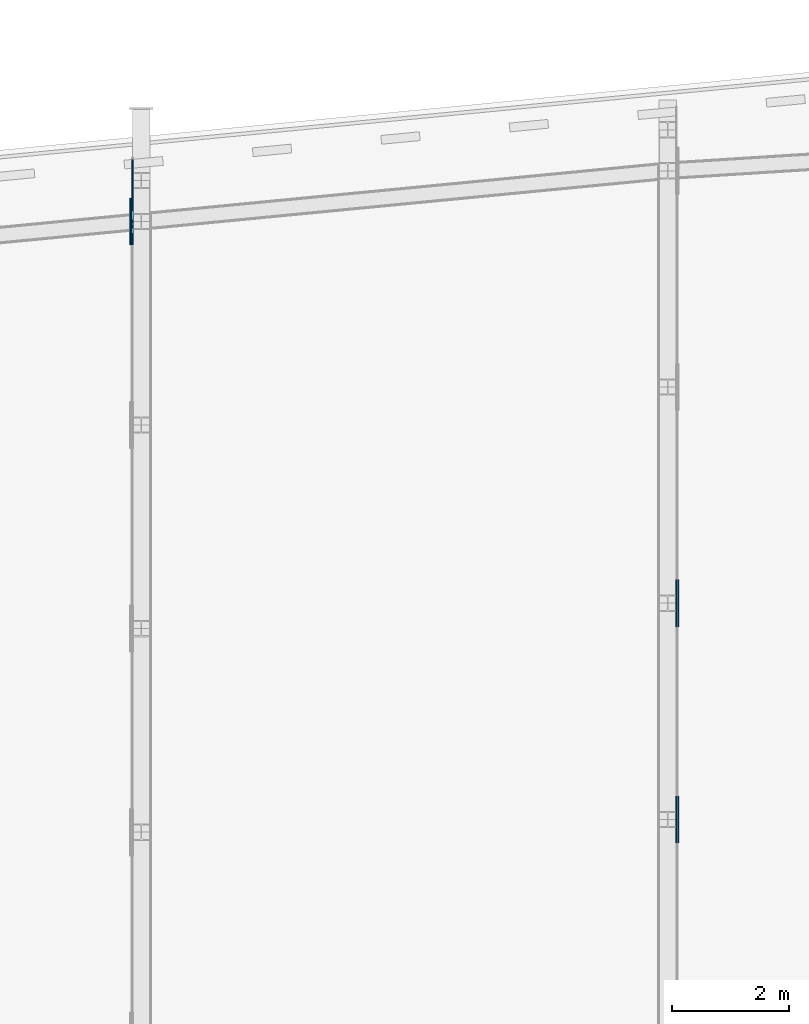
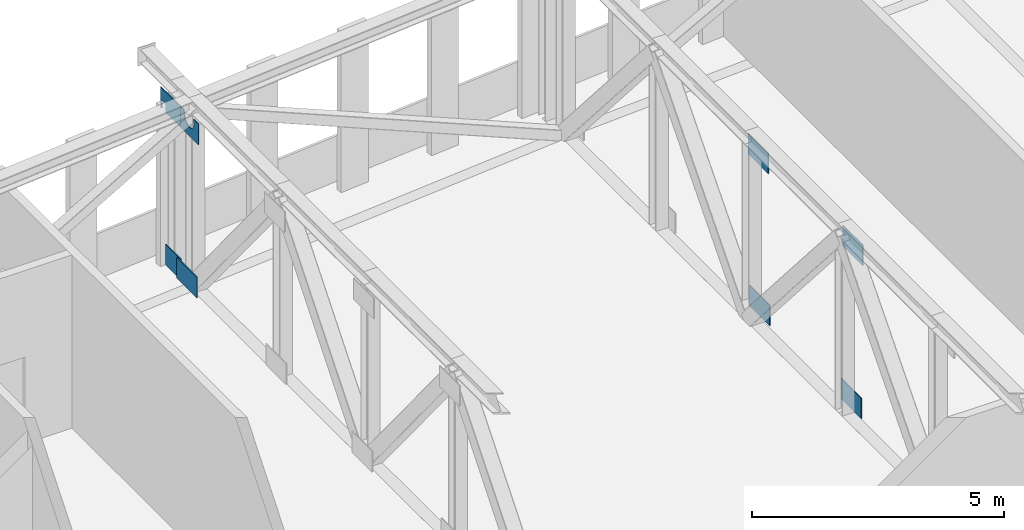
# One storey, part 17 of 26: 8 discrete accessories.
"""IFC4 building model written with IfcOpenShell, lengths in metres."""

from ifc_helpers import new_model, si_unit, direction, frame, origin, place, context, subcontext, project, spatial, polyline, outline, extrude, material, layer, layer_set, type_object, element, save


model = new_model("IFC4")

# Units and contexts
model_context = context("Model", 3, precision=1e-05, world=origin(), true_north=direction((0.0, 1.0)))
body_context = subcontext(model_context, "Body", "Model", "MODEL_VIEW")
ifc_project = project(units=[si_unit("LENGTHUNIT", "METRE"), si_unit("AREAUNIT", "SQUARE_METRE"), si_unit("VOLUMEUNIT", "CUBIC_METRE"), si_unit("PLANEANGLEUNIT", "RADIAN"), si_unit("MASSUNIT", "GRAM", prefix="KILO")], contexts=[model_context])

# Site, building, storey
site_placement = place(None, origin())
site = spatial("IfcSite", under=ifc_project, at=site_placement, CompositionType="ELEMENT")
building_placement = place(site_placement, origin())
building = spatial("IfcBuilding", under=site, at=building_placement, Name="Kajstack Hotel Tower", CompositionType="ELEMENT")
storey_placement = place(building_placement, frame((0.0, 0.0, 206.5)))
storey = spatial("IfcBuildingStorey", under=building, at=storey_placement, Name="L50", CompositionType="ELEMENT", Elevation=206.5)

# Discrete accessories
ifc_material = material(Name="Steel S355J2", Category="steel")
ifc_layer = layer(ifc_material, 0.02001953125)
ifc_layer_set = layer_set([ifc_layer], Name="GUSSET PLATE")
discrete_accessory_type = type_object("IfcDiscreteAccessoryType", Name="GUSSET PLATE", PredefinedType="BRACKET", material=ifc_layer_set)
discrete_accessory_1_placement = place(storey_placement, frame((-9.195068359375, 18.4228515625, 0.0), z_axis=(1.0, 0.0, 0.0), x_axis=(0.0, 1.0, 0.0)))
element("IfcDiscreteAccessory", 1, at=discrete_accessory_1_placement, inside=storey, type_object=discrete_accessory_type, Name="Gusset plate L50-521", PredefinedType="BRACKET", context=body_context, shape_type="SweptSolid", body=[
    extrude(outline(polyline([(-0.39990234375, 0.0), (0.39990234375, 0.0), (0.39990234375, 0.5), (-0.39990234375, 0.5), (-0.39990234375, 0.0)])), origin(), (0.0, 0.0, 1.0), 0.02001953125),
])
discrete_accessory_2_placement = place(storey_placement, frame((-9.159912109375, 18.4228515625, 3.699951171875), z_axis=(1.0, 0.0, 0.0), x_axis=(0.0, 1.0, 0.0)))
element("IfcDiscreteAccessory", 2, at=discrete_accessory_2_placement, inside=storey, type_object=discrete_accessory_type, Name="Gusset plate L50-522", PredefinedType="BRACKET", context=body_context, shape_type="SweptSolid", body=[
    extrude(outline(polyline([(0.39990234375, 0.5), (0.1875, 0.5), (0.177490234375, 0.466796875), (0.16748046875, 0.446533203125), (0.14501953125, 0.340576171875), (0.130859375, 0.306640625), (0.1103515625, 0.2763671875), (0.08447265625, 0.250732421875), (0.053955078125, 0.23046875), (0.037353515625, 0.22265625), (0.002197265625, 0.212158203125), (-0.0341796875, 0.208740234375), (-0.052490234375, 0.209716796875), (-0.08837890625, 0.217041015625), (-0.122314453125, 0.231201171875), (-0.152587890625, 0.251708984375), (-0.166015625, 0.263916015625), (-0.189208984375, 0.29248046875), (-0.198486328125, 0.30810546875), (-0.21240234375, 0.342041015625), (-0.216796875, 0.35986328125), (-0.22021484375, 0.396240234375), (-0.216552734375, 0.432861328125), (-0.202880859375, 0.5), (-0.39990234375, 0.5), (-0.39990234375, 0.0), (0.39990234375, 0.0), (0.39990234375, 0.5)])), origin(), (0.0, 0.0, 1.0), 0.02001953125),
])
discrete_accessory_3_placement = place(storey_placement, frame((-9.159912109375, 19.122802734375, 0.0), z_axis=(1.0, 0.0, 0.0), x_axis=(0.0, 1.0, 0.0)))
element("IfcDiscreteAccessory", 3, at=discrete_accessory_3_placement, inside=storey, type_object=discrete_accessory_type, Name="Gusset plate L50-524", PredefinedType="BRACKET", context=body_context, shape_type="SweptSolid", body=[
    extrude(outline(polyline([(-0.39990234375, 0.0), (0.204345703125, 0.0), (0.204345703125, 0.5), (-0.39990234375, 0.5), (-0.39990234375, 0.0)])), origin(), (0.0, 0.0, 1.0), 0.02001953125),
])
discrete_accessory_4_placement = place(storey_placement, frame((-9.159912109375, 19.122802734375, 3.699951171875), z_axis=(1.0, 0.0, 0.0), x_axis=(0.0, 1.0, 0.0)))
element("IfcDiscreteAccessory", 4, at=discrete_accessory_4_placement, inside=storey, type_object=discrete_accessory_type, Name="Gusset plate L50-525", PredefinedType="BRACKET", context=body_context, shape_type="SweptSolid", body=[
    extrude(outline(polyline([(-0.39990234375, 0.0), (0.204345703125, 0.0), (0.204345703125, 0.205078125), (0.36669921875, 0.205078125), (0.36669921875, 0.0), (0.39990234375, 0.0), (0.39990234375, 0.5), (-0.39990234375, 0.5), (-0.39990234375, 0.0)])), origin(), (0.0, 0.0, 1.0), 0.02001953125),
])
for number, where, z_axis, x_axis, name in (
    (5, (0.139892578125, 8.197509765625, 0.0), (1.0, 0.0, 0.0), (0.0, 1.0, 0.0), "Gusset plate L50-540"),
    (6, (0.175048828125, 8.197509765625, 3.699951171875), (1.0, 0.0, 0.0), (0.0, 1.0, 0.0), "Gusset plate L50-541"),
    (7, (0.175048828125, 11.894775390625, 0.0), (1.0, 0.0, 0.0), (0.0, 1.0, 0.0), "Gusset plate L50-542"),
    (8, (0.139892578125, 11.894775390625, 3.699951171875), (1.0, 0.0, 0.0), (0.0, 1.0, 0.0), "Gusset plate L50-543"),
):
    element("IfcDiscreteAccessory", number, at=place(storey_placement, frame(where, z_axis=z_axis, x_axis=x_axis)), inside=storey, type_object=discrete_accessory_type, Name=name, PredefinedType="BRACKET", context=body_context, shape_type="SweptSolid", body=[
        extrude(outline(polyline([(-0.39990234375, 0.0), (0.39990234375, 0.0), (0.39990234375, 0.5), (-0.39990234375, 0.5), (-0.39990234375, 0.0)])), origin(), (0.0, 0.0, 1.0), 0.02001953125),
    ])

save(model, "model.ifc")
